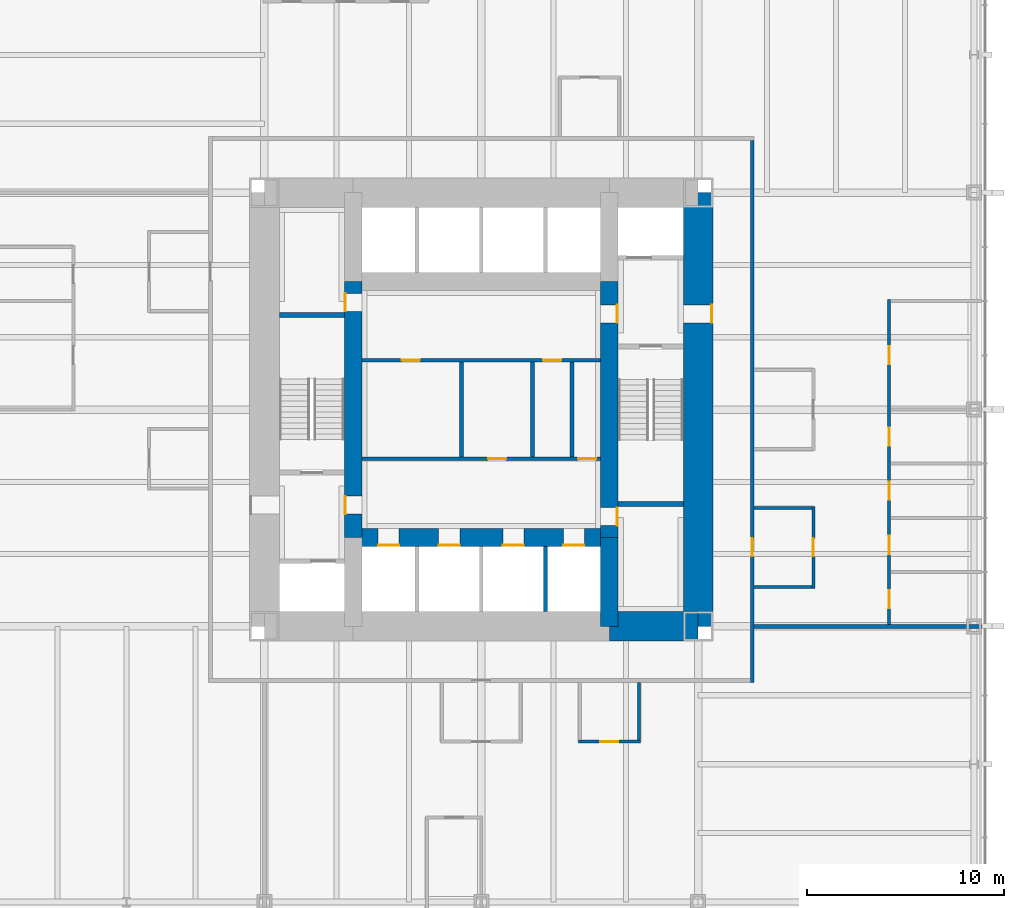
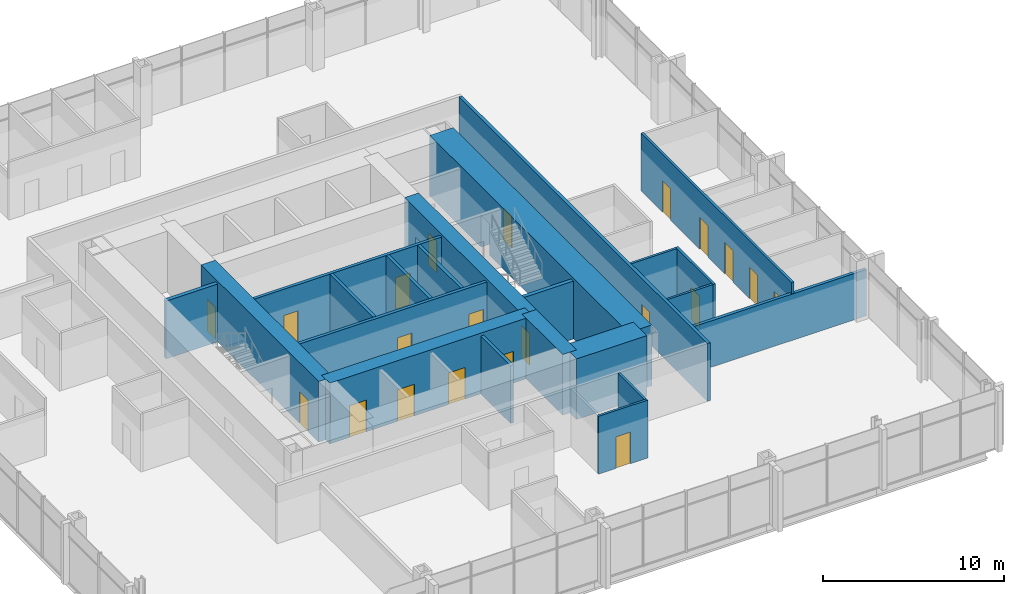
# One storey, part 10 of 12: 22 walls, 21 doors, 21 openings.
"""IFC4 building model written with IfcOpenShell, lengths in metres."""

from ifc_helpers import new_model, si_unit, direction, frame, frame_2d, origin, place, context, subcontext, project, spatial, rectangle, extrude, material, layer, layer_set, type_object, element, fill, save


model = new_model("IFC4")

# Units and contexts
model_context = context("Model", 3, precision=1e-05, world=origin(), true_north=direction((0.0, 1.0)))
body_context = subcontext(model_context, "Body", "Model", "MODEL_VIEW")
ifc_project = project(units=[si_unit("LENGTHUNIT", "METRE"), si_unit("AREAUNIT", "SQUARE_METRE"), si_unit("VOLUMEUNIT", "CUBIC_METRE"), si_unit("PLANEANGLEUNIT", "RADIAN"), si_unit("MASSUNIT", "GRAM", prefix="KILO")], contexts=[model_context])

# Site, building, storey
site_placement = place(None, origin())
site = spatial("IfcSite", under=ifc_project, at=site_placement, CompositionType="ELEMENT")
building_placement = place(site_placement, origin())
building = spatial("IfcBuilding", under=site, at=building_placement, Name="Trevanion Tower", CompositionType="ELEMENT")
storey_placement = place(building_placement, frame((0.0, 0.0, 36.5)))
storey = spatial("IfcBuildingStorey", under=building, at=storey_placement, Name="L08", CompositionType="ELEMENT", Elevation=36.5)

# Wall, opening, door
ifc_material_1 = material(Name="Concrete 10,000 psi", Category="concrete")
ifc_layer_1 = layer(ifc_material_1, 1.5)
ifc_layer_set_1 = layer_set([ifc_layer_1], Name="CW1 core wall 1500")
wall_type_1 = type_object("IfcWallType", Name="CW1 core wall 1500", PredefinedType="SHEAR", material=ifc_layer_set_1)
wall_1_placement = place(storey_placement, frame((11.0, -11.0, 0.0), z_axis=(0.0, 0.0, 1.0), x_axis=(0.0, 1.0, 0.0)))
wall_1 = element("IfcWall", 1, at=wall_1_placement, inside=storey, type_object=wall_type_1, Name="CW1 CE L08", PredefinedType="SHEAR", context=body_context, shape_type="SweptSolid", body=[
    extrude(rectangle(XDim=22.0, YDim=1.5, at=frame_2d((11.0, 0.0))), origin(), (0.0, 0.0, 1.0), 4.10009765625),
])
opening_1_placement = place(wall_1_placement, frame((15.392578125, 0.0, 0.0)))
opening_1 = element("IfcOpeningElement", 2, at=opening_1_placement, cuts=wall_1, Name="Opening 08-001", PredefinedType="OPENING", context=body_context, shape_type="SweptSolid", body=[
    extrude(rectangle(XDim=0.9150390625, YDim=2.134033203125, at=frame_2d((0.45751953125, 1.06689453125))), frame((0.0, 0.760009765625, 0.0), z_axis=(0.0, -1.0, 0.0), x_axis=(1.0, 0.0, 0.0)), (0.0, 0.0, 1.0), 1.52001953125),
])
ifc_material_2 = material(Name="Hollow metal, fire rated", Category="steel")
door_type_1 = type_object("IfcDoorType", Name="D3 fire lift lobby door", OperationType="SINGLE_SWING_RIGHT", PredefinedType="DOOR", material=ifc_material_2)
door_1_placement = place(opening_1_placement, origin())
door_1 = element("IfcDoor", 3, at=door_1_placement, inside=storey, type_object=door_type_1, Name="Door 08-001", OperationType="SINGLE_SWING_RIGHT", OverallHeight=2.134033203125, OverallWidth=0.9150390625, PredefinedType="DOOR", context=body_context, shape_type="SweptSolid", body=[
    extrude(rectangle(XDim=0.9150390625, YDim=2.134033203125, at=frame_2d((0.45751953125, 1.06689453125))), frame((0.0, -0.6748046875, 0.0), z_axis=(0.0, -1.0, 0.0), x_axis=(1.0, 0.0, 0.0)), (0.0, 0.0, 1.0), 0.050048828125),
])
fill(opening_1, door_1)

# Walls
wall_2_placement = place(storey_placement, frame((6.5, -11.0, 0.0), z_axis=(0.0, 0.0, 1.0), x_axis=(1.0, 0.0, 0.0)))
element("IfcWall", 4, at=wall_2_placement, inside=storey, type_object=wall_type_1, Name="CW1 CS3 L08", PredefinedType="SHEAR", context=body_context, shape_type="SweptSolid", body=[
    extrude(rectangle(XDim=4.5, YDim=1.5, at=frame_2d((2.25, 0.0))), origin(), (0.0, 0.0, 1.0), 4.10009765625),
])
ifc_material_3 = material(Name="Concrete 10,000 psi", Category="concrete")
ifc_layer_2 = layer(ifc_material_3, 0.89990234375)
ifc_layer_set_2 = layer_set([ifc_layer_2], Name="CW2 core wall 900")
wall_type_2 = type_object("IfcWallType", Name="CW2 core wall 900", PredefinedType="SHEAR", material=ifc_layer_set_2)
wall_3_placement = place(storey_placement, frame((6.5, -11.0, 0.0), z_axis=(0.0, 0.0, 1.0), x_axis=(0.0, 1.0, 0.0)))
element("IfcWall", 5, at=wall_3_placement, inside=storey, type_object=wall_type_2, Name="CW2 RE1 L08", PredefinedType="SHEAR", context=body_context, shape_type="SweptSolid", body=[
    extrude(rectangle(XDim=4.5, YDim=0.89990234375, at=frame_2d((2.25, 0.0))), origin(), (0.0, 0.0, 1.0), 4.10009765625),
])

# Wall, openings, doors
wall_4_placement = place(storey_placement, frame((6.5, -6.5, 0.0), z_axis=(0.0, 0.0, 1.0), x_axis=(0.0, 1.0, 0.0)))
wall_4 = element("IfcWall", 6, at=wall_4_placement, inside=storey, type_object=wall_type_2, Name="CW2 RE2 L08", PredefinedType="SHEAR", context=body_context, shape_type="SweptSolid", body=[
    extrude(rectangle(XDim=13.0, YDim=0.89990234375, at=frame_2d((6.5, 0.0))), origin(), (0.0, 0.0, 1.0), 4.10009765625),
])
opening_2_placement = place(wall_4_placement, frame((10.892578125, 0.0, 0.0)))
opening_2 = element("IfcOpeningElement", 7, at=opening_2_placement, cuts=wall_4, Name="Opening 08-003", PredefinedType="OPENING", context=body_context, shape_type="SweptSolid", body=[
    extrude(rectangle(XDim=0.9150390625, YDim=2.134033203125, at=frame_2d((0.45751953125, 1.06689453125))), frame((0.0, 0.4599609375, 0.0), z_axis=(0.0, -1.0, 0.0), x_axis=(1.0, 0.0, 0.0)), (0.0, 0.0, 1.0), 0.919921875),
])
opening_3_placement = place(wall_4_placement, frame((0.610107421875, 0.0, 0.0)))
opening_3 = element("IfcOpeningElement", 8, at=opening_3_placement, cuts=wall_4, Name="Opening 08-009", PredefinedType="OPENING", context=body_context, shape_type="SweptSolid", body=[
    extrude(rectangle(XDim=0.9150390625, YDim=2.134033203125, at=frame_2d((0.45751953125, 1.06689453125))), frame((0.0, 0.4599609375, 0.0), z_axis=(0.0, -1.0, 0.0), x_axis=(1.0, 0.0, 0.0)), (0.0, 0.0, 1.0), 0.919921875),
])
door_2_placement = place(opening_2_placement, origin())
door_2 = element("IfcDoor", 9, at=door_2_placement, inside=storey, type_object=door_type_1, Name="Door 08-003", OperationType="SINGLE_SWING_RIGHT", OverallHeight=2.134033203125, OverallWidth=0.9150390625, PredefinedType="DOOR", context=body_context, shape_type="SweptSolid", body=[
    extrude(rectangle(XDim=0.9150390625, YDim=2.134033203125, at=frame_2d((0.45751953125, 1.06689453125))), frame((0.0, -0.375, 0.0), z_axis=(0.0, -1.0, 0.0), x_axis=(1.0, 0.0, 0.0)), (0.0, 0.0, 1.0), 0.050048828125),
])
fill(opening_2, door_2)
ifc_material_4 = material(Name="Hollow metal, fire rated", Category="steel")
door_type_2 = type_object("IfcDoorType", Name="D5 service room door", OperationType="SINGLE_SWING_RIGHT", PredefinedType="DOOR", material=ifc_material_4)
door_3_placement = place(opening_3_placement, origin())
door_3 = element("IfcDoor", 10, at=door_3_placement, inside=storey, type_object=door_type_2, Name="Door 08-009", OperationType="SINGLE_SWING_RIGHT", OverallHeight=2.134033203125, OverallWidth=0.9150390625, PredefinedType="DOOR", context=body_context, shape_type="SweptSolid", body=[
    extrude(rectangle(XDim=0.9150390625, YDim=2.134033203125, at=frame_2d((0.45751953125, 1.06689453125))), frame((0.0, -0.375, 0.0), z_axis=(0.0, -1.0, 0.0), x_axis=(1.0, 0.0, 0.0)), (0.0, 0.0, 1.0), 0.050048828125),
])
fill(opening_3, door_3)

wall_5_placement = place(storey_placement, frame((-6.5, 6.5, 0.0), z_axis=(0.0, 0.0, 1.0), x_axis=(0.0, -1.0, 0.0)))
wall_5 = element("IfcWall", 11, at=wall_5_placement, inside=storey, type_object=wall_type_2, Name="CW2 RW2 L08", PredefinedType="SHEAR", context=body_context, shape_type="SweptSolid", body=[
    extrude(rectangle(XDim=13.0, YDim=0.89990234375, at=frame_2d((6.5, 0.0))), origin(), (0.0, 0.0, 1.0), 4.10009765625),
])
opening_4_placement = place(wall_5_placement, frame((10.892578125, 0.0, 0.0)))
opening_4 = element("IfcOpeningElement", 12, at=opening_4_placement, cuts=wall_5, Name="Opening 08-004", PredefinedType="OPENING", context=body_context, shape_type="SweptSolid", body=[
    extrude(rectangle(XDim=0.9150390625, YDim=2.134033203125, at=frame_2d((0.45751953125, 1.06689453125))), frame((0.0, 0.4599609375, 0.0), z_axis=(0.0, -1.0, 0.0), x_axis=(1.0, 0.0, 0.0)), (0.0, 0.0, 1.0), 0.919921875),
])
opening_5_placement = place(wall_5_placement, frame((0.610107421875, 0.0, 0.0)))
opening_5 = element("IfcOpeningElement", 13, at=opening_5_placement, cuts=wall_5, Name="Opening 08-010", PredefinedType="OPENING", context=body_context, shape_type="SweptSolid", body=[
    extrude(rectangle(XDim=0.9150390625, YDim=2.134033203125, at=frame_2d((0.45751953125, 1.06689453125))), frame((0.0, 0.4599609375, 0.0), z_axis=(0.0, -1.0, 0.0), x_axis=(1.0, 0.0, 0.0)), (0.0, 0.0, 1.0), 0.919921875),
])
door_4_placement = place(opening_4_placement, origin())
door_4 = element("IfcDoor", 14, at=door_4_placement, inside=storey, type_object=door_type_1, Name="Door 08-004", OperationType="SINGLE_SWING_RIGHT", OverallHeight=2.134033203125, OverallWidth=0.9150390625, PredefinedType="DOOR", context=body_context, shape_type="SweptSolid", body=[
    extrude(rectangle(XDim=0.9150390625, YDim=2.134033203125, at=frame_2d((0.45751953125, 1.06689453125))), frame((0.0, -0.375, 0.0), z_axis=(0.0, -1.0, 0.0), x_axis=(1.0, 0.0, 0.0)), (0.0, 0.0, 1.0), 0.050048828125),
])
fill(opening_4, door_4)
door_5_placement = place(opening_5_placement, origin())
door_5 = element("IfcDoor", 15, at=door_5_placement, inside=storey, type_object=door_type_2, Name="Door 08-010", OperationType="SINGLE_SWING_RIGHT", OverallHeight=2.134033203125, OverallWidth=0.9150390625, PredefinedType="DOOR", context=body_context, shape_type="SweptSolid", body=[
    extrude(rectangle(XDim=0.9150390625, YDim=2.134033203125, at=frame_2d((0.45751953125, 1.06689453125))), frame((0.0, -0.375, 0.0), z_axis=(0.0, -1.0, 0.0), x_axis=(1.0, 0.0, 0.0)), (0.0, 0.0, 1.0), 0.050048828125),
])
fill(opening_5, door_5)

wall_6_placement = place(storey_placement, frame((-6.5, -6.5, 0.0), z_axis=(0.0, 0.0, 1.0), x_axis=(1.0, 0.0, 0.0)))
wall_6 = element("IfcWall", 16, at=wall_6_placement, inside=storey, type_object=wall_type_2, Name="CW2 RS L08", PredefinedType="SHEAR", context=body_context, shape_type="SweptSolid", body=[
    extrude(rectangle(XDim=13.0, YDim=0.89990234375, at=frame_2d((6.5, 0.0))), origin(), (0.0, 0.0, 1.0), 4.10009765625),
])
opening_6_placement = place(wall_6_placement, frame((1.2666015625, 0.0, 0.0)))
opening_6 = element("IfcOpeningElement", 17, at=opening_6_placement, cuts=wall_6, Name="Opening 08-011", PredefinedType="OPENING", context=body_context, shape_type="SweptSolid", body=[
    extrude(rectangle(XDim=1.06689453125, YDim=2.134033203125, at=frame_2d((0.533447265625, 1.06689453125))), frame((0.0, 0.4599609375, 0.0), z_axis=(0.0, -1.0, 0.0), x_axis=(1.0, 0.0, 0.0)), (0.0, 0.0, 1.0), 0.919921875),
])
opening_7_placement = place(wall_6_placement, frame((4.341552734375, 0.0, 0.0)))
opening_7 = element("IfcOpeningElement", 18, at=opening_7_placement, cuts=wall_6, Name="Opening 08-012", PredefinedType="OPENING", context=body_context, shape_type="SweptSolid", body=[
    extrude(rectangle(XDim=1.06689453125, YDim=2.134033203125, at=frame_2d((0.533447265625, 1.06689453125))), frame((0.0, 0.4599609375, 0.0), z_axis=(0.0, -1.0, 0.0), x_axis=(1.0, 0.0, 0.0)), (0.0, 0.0, 1.0), 0.919921875),
])
opening_8_placement = place(wall_6_placement, frame((7.591552734375, 0.0, 0.0)))
opening_8 = element("IfcOpeningElement", 19, at=opening_8_placement, cuts=wall_6, Name="Opening 08-013", PredefinedType="OPENING", context=body_context, shape_type="SweptSolid", body=[
    extrude(rectangle(XDim=1.06689453125, YDim=2.134033203125, at=frame_2d((0.533447265625, 1.06689453125))), frame((0.0, 0.4599609375, 0.0), z_axis=(0.0, -1.0, 0.0), x_axis=(1.0, 0.0, 0.0)), (0.0, 0.0, 1.0), 0.919921875),
])
opening_9_placement = place(wall_6_placement, frame((10.66650390625, 0.0, 0.0)))
opening_9 = element("IfcOpeningElement", 20, at=opening_9_placement, cuts=wall_6, Name="Opening 08-014", PredefinedType="OPENING", context=body_context, shape_type="SweptSolid", body=[
    extrude(rectangle(XDim=1.06689453125, YDim=2.134033203125, at=frame_2d((0.533447265625, 1.06689453125))), frame((0.0, 0.4599609375, 0.0), z_axis=(0.0, -1.0, 0.0), x_axis=(1.0, 0.0, 0.0)), (0.0, 0.0, 1.0), 0.919921875),
])
ifc_material_5 = material(Name="Stainless steel, fire rated", Category="steel")
door_type_3 = type_object("IfcDoorType", Name="LD1 lift landing door", OperationType="SLIDING_TO_LEFT", PredefinedType="DOOR", material=ifc_material_5)
door_6_placement = place(opening_6_placement, origin())
door_6 = element("IfcDoor", 21, at=door_6_placement, inside=storey, type_object=door_type_3, Name="Door 08-011", OperationType="SLIDING_TO_LEFT", OverallHeight=2.134033203125, OverallWidth=1.06689453125, PredefinedType="DOOR", context=body_context, shape_type="SweptSolid", body=[
    extrude(rectangle(XDim=1.06689453125, YDim=2.134033203125, at=frame_2d((0.533447265625, 1.06689453125))), frame((0.0, -0.375, 0.0), z_axis=(0.0, -1.0, 0.0), x_axis=(1.0, 0.0, 0.0)), (0.0, 0.0, 1.0), 0.050048828125),
])
fill(opening_6, door_6)
door_7_placement = place(opening_7_placement, origin())
door_7 = element("IfcDoor", 22, at=door_7_placement, inside=storey, type_object=door_type_3, Name="Door 08-012", OperationType="SLIDING_TO_LEFT", OverallHeight=2.134033203125, OverallWidth=1.06689453125, PredefinedType="DOOR", context=body_context, shape_type="SweptSolid", body=[
    extrude(rectangle(XDim=1.06689453125, YDim=2.134033203125, at=frame_2d((0.533447265625, 1.06689453125))), frame((0.0, -0.375, 0.0), z_axis=(0.0, -1.0, 0.0), x_axis=(1.0, 0.0, 0.0)), (0.0, 0.0, 1.0), 0.050048828125),
])
fill(opening_7, door_7)
door_8_placement = place(opening_8_placement, origin())
door_8 = element("IfcDoor", 23, at=door_8_placement, inside=storey, type_object=door_type_3, Name="Door 08-013", OperationType="SLIDING_TO_LEFT", OverallHeight=2.134033203125, OverallWidth=1.06689453125, PredefinedType="DOOR", context=body_context, shape_type="SweptSolid", body=[
    extrude(rectangle(XDim=1.06689453125, YDim=2.134033203125, at=frame_2d((0.533447265625, 1.06689453125))), frame((0.0, -0.375, 0.0), z_axis=(0.0, -1.0, 0.0), x_axis=(1.0, 0.0, 0.0)), (0.0, 0.0, 1.0), 0.050048828125),
])
fill(opening_8, door_8)
door_9_placement = place(opening_9_placement, origin())
door_9 = element("IfcDoor", 24, at=door_9_placement, inside=storey, type_object=door_type_3, Name="Door 08-014", OperationType="SLIDING_TO_LEFT", OverallHeight=2.134033203125, OverallWidth=1.06689453125, PredefinedType="DOOR", context=body_context, shape_type="SweptSolid", body=[
    extrude(rectangle(XDim=1.06689453125, YDim=2.134033203125, at=frame_2d((0.533447265625, 1.06689453125))), frame((0.0, -0.375, 0.0), z_axis=(0.0, -1.0, 0.0), x_axis=(1.0, 0.0, 0.0)), (0.0, 0.0, 1.0), 0.050048828125),
])
fill(opening_9, door_9)

ifc_material_6 = material(Name="Gypsum board on steel studs", Category="steel")
ifc_layer_3 = layer(ifc_material_6, 0.14990234375)
ifc_layer_set_3 = layer_set([ifc_layer_3], Name="PT1 partition 150")
wall_type_3 = type_object("IfcWallType", Name="PT1 partition 150", PredefinedType="PARTITIONING", material=ifc_layer_set_3)
wall_7_placement = place(storey_placement, frame((20.699951171875, -11.074951171875, 0.0), z_axis=(0.0, 0.0, 1.0), x_axis=(0.0, 1.0, 0.0)))
wall_7 = element("IfcWall", 25, at=wall_7_placement, inside=storey, type_object=wall_type_3, Name="PT1 L08 FC0F", PredefinedType="PARTITIONING", context=body_context, shape_type="SweptSolid", body=[
    extrude(rectangle(XDim=16.64990234375, YDim=0.14990234375, at=frame_2d((8.324951171875, 0.0))), origin(), (0.0, 0.0, 1.0), 3.909912109375),
])
opening_10_placement = place(wall_7_placement, frame((0.992431640625, 0.0, 0.0)))
opening_10 = element("IfcOpeningElement", 26, at=opening_10_placement, cuts=wall_7, Name="Opening 08-019", PredefinedType="OPENING", context=body_context, shape_type="SweptSolid", body=[
    extrude(rectangle(XDim=0.9150390625, YDim=2.134033203125, at=frame_2d((0.45751953125, 1.06689453125))), frame((0.0, 0.0849609375, 0.0), z_axis=(0.0, -1.0, 0.0), x_axis=(1.0, 0.0, 0.0)), (0.0, 0.0, 1.0), 0.169921875),
])
opening_11_placement = place(wall_7_placement, frame((3.742431640625, 0.0, 0.0)))
opening_11 = element("IfcOpeningElement", 27, at=opening_11_placement, cuts=wall_7, Name="Opening 08-020", PredefinedType="OPENING", context=body_context, shape_type="SweptSolid", body=[
    extrude(rectangle(XDim=0.9150390625, YDim=2.134033203125, at=frame_2d((0.45751953125, 1.06689453125))), frame((0.0, 0.0849609375, 0.0), z_axis=(0.0, -1.0, 0.0), x_axis=(1.0, 0.0, 0.0)), (0.0, 0.0, 1.0), 0.169921875),
])
opening_12_placement = place(wall_7_placement, frame((6.492431640625, 0.0, 0.0)))
opening_12 = element("IfcOpeningElement", 28, at=opening_12_placement, cuts=wall_7, Name="Opening 08-021", PredefinedType="OPENING", context=body_context, shape_type="SweptSolid", body=[
    extrude(rectangle(XDim=0.9150390625, YDim=2.134033203125, at=frame_2d((0.45751953125, 1.06689453125))), frame((0.0, 0.0849609375, 0.0), z_axis=(0.0, -1.0, 0.0), x_axis=(1.0, 0.0, 0.0)), (0.0, 0.0, 1.0), 0.169921875),
])
opening_13_placement = place(wall_7_placement, frame((9.242431640625, 0.0, 0.0)))
opening_13 = element("IfcOpeningElement", 29, at=opening_13_placement, cuts=wall_7, Name="Opening 08-022", PredefinedType="OPENING", context=body_context, shape_type="SweptSolid", body=[
    extrude(rectangle(XDim=0.9150390625, YDim=2.134033203125, at=frame_2d((0.45751953125, 1.06689453125))), frame((0.0, 0.0849609375, 0.0), z_axis=(0.0, -1.0, 0.0), x_axis=(1.0, 0.0, 0.0)), (0.0, 0.0, 1.0), 0.169921875),
])
opening_14_placement = place(wall_7_placement, frame((13.367431640625, 0.0, 0.0)))
opening_14 = element("IfcOpeningElement", 30, at=opening_14_placement, cuts=wall_7, Name="Opening 08-023", PredefinedType="OPENING", context=body_context, shape_type="SweptSolid", body=[
    extrude(rectangle(XDim=0.9150390625, YDim=2.134033203125, at=frame_2d((0.45751953125, 1.06689453125))), frame((0.0, 0.0849609375, 0.0), z_axis=(0.0, -1.0, 0.0), x_axis=(1.0, 0.0, 0.0)), (0.0, 0.0, 1.0), 0.169921875),
])
ifc_material_7 = material(Name="Timber veneer, solid core", Category="wood")
door_type_4 = type_object("IfcDoorType", Name="D1 office and meeting room door", OperationType="SINGLE_SWING_LEFT", PredefinedType="DOOR", material=ifc_material_7)
door_10_placement = place(opening_10_placement, origin())
door_10 = element("IfcDoor", 31, at=door_10_placement, inside=storey, type_object=door_type_4, Name="Door 08-019", OperationType="SINGLE_SWING_LEFT", OverallHeight=2.134033203125, OverallWidth=0.9150390625, PredefinedType="DOOR", context=body_context, shape_type="SweptSolid", body=[
    extrude(rectangle(XDim=0.9150390625, YDim=2.134033203125, at=frame_2d((0.45751953125, 1.06689453125))), frame((0.0, 0.02490234375, 0.0), z_axis=(0.0, -1.0, 0.0), x_axis=(1.0, 0.0, 0.0)), (0.0, 0.0, 1.0), 0.050048828125),
])
fill(opening_10, door_10)
door_11_placement = place(opening_11_placement, origin())
door_11 = element("IfcDoor", 32, at=door_11_placement, inside=storey, type_object=door_type_4, Name="Door 08-020", OperationType="SINGLE_SWING_LEFT", OverallHeight=2.134033203125, OverallWidth=0.9150390625, PredefinedType="DOOR", context=body_context, shape_type="SweptSolid", body=[
    extrude(rectangle(XDim=0.9150390625, YDim=2.134033203125, at=frame_2d((0.45751953125, 1.06689453125))), frame((0.0, 0.02490234375, 0.0), z_axis=(0.0, -1.0, 0.0), x_axis=(1.0, 0.0, 0.0)), (0.0, 0.0, 1.0), 0.050048828125),
])
fill(opening_11, door_11)
door_12_placement = place(opening_12_placement, origin())
door_12 = element("IfcDoor", 33, at=door_12_placement, inside=storey, type_object=door_type_4, Name="Door 08-021", OperationType="SINGLE_SWING_LEFT", OverallHeight=2.134033203125, OverallWidth=0.9150390625, PredefinedType="DOOR", context=body_context, shape_type="SweptSolid", body=[
    extrude(rectangle(XDim=0.9150390625, YDim=2.134033203125, at=frame_2d((0.45751953125, 1.06689453125))), frame((0.0, 0.02490234375, 0.0), z_axis=(0.0, -1.0, 0.0), x_axis=(1.0, 0.0, 0.0)), (0.0, 0.0, 1.0), 0.050048828125),
])
fill(opening_12, door_12)
door_13_placement = place(opening_13_placement, origin())
door_13 = element("IfcDoor", 34, at=door_13_placement, inside=storey, type_object=door_type_4, Name="Door 08-022", OperationType="SINGLE_SWING_LEFT", OverallHeight=2.134033203125, OverallWidth=0.9150390625, PredefinedType="DOOR", context=body_context, shape_type="SweptSolid", body=[
    extrude(rectangle(XDim=0.9150390625, YDim=2.134033203125, at=frame_2d((0.45751953125, 1.06689453125))), frame((0.0, 0.02490234375, 0.0), z_axis=(0.0, -1.0, 0.0), x_axis=(1.0, 0.0, 0.0)), (0.0, 0.0, 1.0), 0.050048828125),
])
fill(opening_13, door_13)
door_14_placement = place(opening_14_placement, origin())
door_14 = element("IfcDoor", 35, at=door_14_placement, inside=storey, type_object=door_type_4, Name="Door 08-023", OperationType="SINGLE_SWING_LEFT", OverallHeight=2.134033203125, OverallWidth=0.9150390625, PredefinedType="DOOR", context=body_context, shape_type="SweptSolid", body=[
    extrude(rectangle(XDim=0.9150390625, YDim=2.134033203125, at=frame_2d((0.45751953125, 1.06689453125))), frame((0.0, 0.02490234375, 0.0), z_axis=(0.0, -1.0, 0.0), x_axis=(1.0, 0.0, 0.0)), (0.0, 0.0, 1.0), 0.050048828125),
])
fill(opening_14, door_14)

# Wall, opening, door
wall_8_placement = place(storey_placement, frame((16.85009765625, -9.074951171875, 0.0), z_axis=(0.0, 0.0, 1.0), x_axis=(0.0, 1.0, 0.0)))
wall_8 = element("IfcWall", 36, at=wall_8_placement, inside=storey, type_object=wall_type_3, Name="PT1 L08 IN00F", PredefinedType="PARTITIONING", context=body_context, shape_type="SweptSolid", body=[
    extrude(rectangle(XDim=4.14990234375, YDim=0.14990234375, at=frame_2d((2.074951171875, 0.0))), origin(), (0.0, 0.0, 1.0), 3.909912109375),
])
opening_15_placement = place(wall_8_placement, frame((1.617431640625, 0.0, 0.0)))
opening_15 = element("IfcOpeningElement", 37, at=opening_15_placement, cuts=wall_8, Name="Opening 08-030", PredefinedType="OPENING", context=body_context, shape_type="SweptSolid", body=[
    extrude(rectangle(XDim=0.9150390625, YDim=2.134033203125, at=frame_2d((0.45751953125, 1.06689453125))), frame((0.0, 0.0849609375, 0.0), z_axis=(0.0, -1.0, 0.0), x_axis=(1.0, 0.0, 0.0)), (0.0, 0.0, 1.0), 0.169921875),
])
door_15_placement = place(opening_15_placement, origin())
door_15 = element("IfcDoor", 38, at=door_15_placement, inside=storey, type_object=door_type_4, Name="Door 08-030", OperationType="SINGLE_SWING_LEFT", OverallHeight=2.134033203125, OverallWidth=0.9150390625, PredefinedType="DOOR", context=body_context, shape_type="SweptSolid", body=[
    extrude(rectangle(XDim=0.9150390625, YDim=2.134033203125, at=frame_2d((0.45751953125, 1.06689453125))), frame((0.0, 0.02490234375, 0.0), z_axis=(0.0, -1.0, 0.0), x_axis=(1.0, 0.0, 0.0)), (0.0, 0.0, 1.0), 0.050048828125),
])
fill(opening_15, door_15)

# Walls
for number, where, z_axis, x_axis, name in (
    (39, (16.77490234375, -9.0, 0.0), (0.0, 0.0, 1.0), (-1.0, 0.0, 0.0), "PT1 L08 IN00S0"),
    (40, (16.77490234375, -5.0, 0.0), (0.0, 0.0, 1.0), (-1.0, 0.0, 0.0), "PT1 L08 IN00S1"),
):
    element("IfcWall", number, at=place(storey_placement, frame(where, z_axis=z_axis, x_axis=x_axis)), inside=storey, type_object=wall_type_3, Name=name, PredefinedType="PARTITIONING", context=body_context, shape_type="SweptSolid", body=[
        extrude(rectangle(XDim=2.9248046875, YDim=0.14990234375, at=frame_2d((1.46240234375, 0.0))), origin(), (0.0, 0.0, 1.0), 3.909912109375),
    ])

# Wall, opening, door
wall_9_placement = place(storey_placement, frame((4.925048828125, -16.85009765625, 0.0), z_axis=(0.0, 0.0, 1.0), x_axis=(1.0, 0.0, 0.0)))
wall_9 = element("IfcWall", 41, at=wall_9_placement, inside=storey, type_object=wall_type_3, Name="PT1 L08 IN31F", PredefinedType="PARTITIONING", context=body_context, shape_type="SweptSolid", body=[
    extrude(rectangle(XDim=3.14990234375, YDim=0.14990234375, at=frame_2d((1.574951171875, 0.0))), origin(), (0.0, 0.0, 1.0), 3.909912109375),
])
opening_16_placement = place(wall_9_placement, frame((1.117431640625, 0.0, 0.0)))
opening_16 = element("IfcOpeningElement", 42, at=opening_16_placement, cuts=wall_9, Name="Opening 08-038", PredefinedType="OPENING", context=body_context, shape_type="SweptSolid", body=[
    extrude(rectangle(XDim=0.9150390625, YDim=2.134033203125, at=frame_2d((0.45751953125, 1.06689453125))), frame((0.0, 0.0849609375, 0.0), z_axis=(0.0, -1.0, 0.0), x_axis=(1.0, 0.0, 0.0)), (0.0, 0.0, 1.0), 0.169921875),
])
door_16_placement = place(opening_16_placement, origin())
door_16 = element("IfcDoor", 43, at=door_16_placement, inside=storey, type_object=door_type_4, Name="Door 08-038", OperationType="SINGLE_SWING_LEFT", OverallHeight=2.134033203125, OverallWidth=0.9150390625, PredefinedType="DOOR", context=body_context, shape_type="SweptSolid", body=[
    extrude(rectangle(XDim=0.9150390625, YDim=2.134033203125, at=frame_2d((0.45751953125, 1.06689453125))), frame((0.0, 0.02490234375, 0.0), z_axis=(0.0, -1.0, 0.0), x_axis=(1.0, 0.0, 0.0)), (0.0, 0.0, 1.0), 0.050048828125),
])
fill(opening_16, door_16)

# Walls
wall_10_placement = place(storey_placement, frame((8.0, -16.77490234375, 0.0), z_axis=(0.0, 0.0, 1.0), x_axis=(0.0, 1.0, 0.0)))
element("IfcWall", 44, at=wall_10_placement, inside=storey, type_object=wall_type_3, Name="PT1 L08 IN31S1", PredefinedType="PARTITIONING", context=body_context, shape_type="SweptSolid", body=[
    extrude(rectangle(XDim=2.9248046875, YDim=0.14990234375, at=frame_2d((1.46240234375, 0.0))), origin(), (0.0, 0.0, 1.0), 3.909912109375),
])
ifc_material_8 = material(Name="Concrete masonry, grouted", Category="masonry")
ifc_layer_4 = layer(ifc_material_8, 0.199951171875)
ifc_layer_set_4 = layer_set([ifc_layer_4], Name="PT2 partition 200")
wall_type_4 = type_object("IfcWallType", Name="PT2 partition 200", PredefinedType="PARTITIONING", material=ifc_layer_set_4)
for number, where, z_axis, x_axis, name in (
    (45, (-1.0, -2.39990234375, 0.0), (0.0, 0.0, 1.0), (0.0, 1.0, 0.0), "PT2 L08 TP1"),
    (46, (2.60009765625, -2.39990234375, 0.0), (0.0, 0.0, 1.0), (0.0, 1.0, 0.0), "PT2 L08 TP2"),
    (47, (4.60009765625, -2.39990234375, 0.0), (0.0, 0.0, 1.0), (0.0, 1.0, 0.0), "PT2 L08 TP3"),
):
    element("IfcWall", number, at=place(storey_placement, frame(where, z_axis=z_axis, x_axis=x_axis)), inside=storey, type_object=wall_type_4, Name=name, PredefinedType="PARTITIONING", context=body_context, shape_type="SweptSolid", body=[
        extrude(rectangle(XDim=4.7998046875, YDim=0.199951171875, at=frame_2d((2.39990234375, 0.0))), origin(), (0.0, 0.0, 1.0), 3.909912109375),
    ])

# Wall, openings, doors
ifc_material_9 = material(Name="Concrete masonry, grouted", Category="masonry")
ifc_layer_5 = layer(ifc_material_9, 0.199951171875)
ifc_layer_set_5 = layer_set([ifc_layer_5], Name="PT2 partition 200 1 HR")
wall_type_5 = type_object("IfcWallType", Name="PT2 partition 200 1 HR", PredefinedType="PARTITIONING", material=ifc_layer_set_5)
wall_11_placement = place(storey_placement, frame((-6.050048828125, 2.5, 0.0), z_axis=(0.0, 0.0, 1.0), x_axis=(1.0, 0.0, 0.0)))
wall_11 = element("IfcWall", 48, at=wall_11_placement, inside=storey, type_object=wall_type_5, Name="PT2 L08 CP1", PredefinedType="PARTITIONING", context=body_context, shape_type="SweptSolid", body=[
    extrude(rectangle(XDim=12.10009765625, YDim=0.199951171875, at=frame_2d((6.050048828125, 0.0))), origin(), (0.0, 0.0, 1.0), 3.909912109375),
])
opening_17_placement = place(wall_11_placement, frame((2.017578125, 0.0, 0.0)))
opening_17 = element("IfcOpeningElement", 49, at=opening_17_placement, cuts=wall_11, Name="Opening 08-015", PredefinedType="OPENING", context=body_context, shape_type="SweptSolid", body=[
    extrude(rectangle(XDim=0.9150390625, YDim=2.134033203125, at=frame_2d((0.45751953125, 1.06689453125))), frame((0.0, 0.10986328125, 0.0), z_axis=(0.0, -1.0, 0.0), x_axis=(1.0, 0.0, 0.0)), (0.0, 0.0, 1.0), 0.219970703125),
])
opening_18_placement = place(wall_11_placement, frame((9.1923828125, 0.0, 0.0)))
opening_18 = element("IfcOpeningElement", 50, at=opening_18_placement, cuts=wall_11, Name="Opening 08-017", PredefinedType="OPENING", context=body_context, shape_type="SweptSolid", body=[
    extrude(rectangle(XDim=0.9150390625, YDim=2.134033203125, at=frame_2d((0.45751953125, 1.06689453125))), frame((0.0, 0.10986328125, 0.0), z_axis=(0.0, -1.0, 0.0), x_axis=(1.0, 0.0, 0.0)), (0.0, 0.0, 1.0), 0.219970703125),
])
ifc_material_10 = material(Name="Plastic laminate on fire-rated core", Category="wood")
door_type_5 = type_object("IfcDoorType", Name="D12 toilet door in a one hour wall", OperationType="SINGLE_SWING_LEFT", PredefinedType="DOOR", material=ifc_material_10)
door_17_placement = place(opening_17_placement, origin())
door_17 = element("IfcDoor", 51, at=door_17_placement, inside=storey, type_object=door_type_5, Name="Door 08-015", OperationType="SINGLE_SWING_LEFT", OverallHeight=2.134033203125, OverallWidth=0.9150390625, PredefinedType="DOOR", context=body_context, shape_type="SweptSolid", body=[
    extrude(rectangle(XDim=0.9150390625, YDim=2.134033203125, at=frame_2d((0.45751953125, 1.06689453125))), frame((0.0, 0.02490234375, 0.0), z_axis=(0.0, -1.0, 0.0), x_axis=(1.0, 0.0, 0.0)), (0.0, 0.0, 1.0), 0.050048828125),
])
fill(opening_17, door_17)
door_18_placement = place(opening_18_placement, origin())
door_18 = element("IfcDoor", 52, at=door_18_placement, inside=storey, type_object=door_type_5, Name="Door 08-017", OperationType="SINGLE_SWING_LEFT", OverallHeight=2.134033203125, OverallWidth=0.9150390625, PredefinedType="DOOR", context=body_context, shape_type="SweptSolid", body=[
    extrude(rectangle(XDim=0.9150390625, YDim=2.134033203125, at=frame_2d((0.45751953125, 1.06689453125))), frame((0.0, 0.02490234375, 0.0), z_axis=(0.0, -1.0, 0.0), x_axis=(1.0, 0.0, 0.0)), (0.0, 0.0, 1.0), 0.050048828125),
])
fill(opening_18, door_18)

wall_12_placement = place(storey_placement, frame((6.050048828125, -2.5, 0.0), z_axis=(0.0, 0.0, 1.0), x_axis=(-1.0, 0.0, 0.0)))
wall_12 = element("IfcWall", 53, at=wall_12_placement, inside=storey, type_object=wall_type_5, Name="PT2 L08 CP2", PredefinedType="PARTITIONING", context=body_context, shape_type="SweptSolid", body=[
    extrude(rectangle(XDim=12.10009765625, YDim=0.199951171875, at=frame_2d((6.050048828125, 0.0))), origin(), (0.0, 0.0, 1.0), 3.909912109375),
])
opening_19_placement = place(wall_12_placement, frame((4.79248046875, 0.0, 0.0)))
opening_19 = element("IfcOpeningElement", 54, at=opening_19_placement, cuts=wall_12, Name="Opening 08-016", PredefinedType="OPENING", context=body_context, shape_type="SweptSolid", body=[
    extrude(rectangle(XDim=0.9150390625, YDim=2.134033203125, at=frame_2d((0.45751953125, 1.06689453125))), frame((0.0, 0.10986328125, 0.0), z_axis=(0.0, -1.0, 0.0), x_axis=(1.0, 0.0, 0.0)), (0.0, 0.0, 1.0), 0.219970703125),
])
opening_20_placement = place(wall_12_placement, frame((0.217529296875, 0.0, 0.0)))
opening_20 = element("IfcOpeningElement", 55, at=opening_20_placement, cuts=wall_12, Name="Opening 08-018", PredefinedType="OPENING", context=body_context, shape_type="SweptSolid", body=[
    extrude(rectangle(XDim=0.9150390625, YDim=2.134033203125, at=frame_2d((0.45751953125, 1.06689453125))), frame((0.0, 0.10986328125, 0.0), z_axis=(0.0, -1.0, 0.0), x_axis=(1.0, 0.0, 0.0)), (0.0, 0.0, 1.0), 0.219970703125),
])
door_19_placement = place(opening_19_placement, origin())
door_19 = element("IfcDoor", 56, at=door_19_placement, inside=storey, type_object=door_type_5, Name="Door 08-016", OperationType="SINGLE_SWING_LEFT", OverallHeight=2.134033203125, OverallWidth=0.9150390625, PredefinedType="DOOR", context=body_context, shape_type="SweptSolid", body=[
    extrude(rectangle(XDim=0.9150390625, YDim=2.134033203125, at=frame_2d((0.45751953125, 1.06689453125))), frame((0.0, 0.02490234375, 0.0), z_axis=(0.0, -1.0, 0.0), x_axis=(1.0, 0.0, 0.0)), (0.0, 0.0, 1.0), 0.050048828125),
])
fill(opening_19, door_19)
door_20_placement = place(opening_20_placement, origin())
door_20 = element("IfcDoor", 57, at=door_20_placement, inside=storey, type_object=door_type_5, Name="Door 08-018", OperationType="SINGLE_SWING_LEFT", OverallHeight=2.134033203125, OverallWidth=0.9150390625, PredefinedType="DOOR", context=body_context, shape_type="SweptSolid", body=[
    extrude(rectangle(XDim=0.9150390625, YDim=2.134033203125, at=frame_2d((0.45751953125, 1.06689453125))), frame((0.0, 0.02490234375, 0.0), z_axis=(0.0, -1.0, 0.0), x_axis=(1.0, 0.0, 0.0)), (0.0, 0.0, 1.0), 0.050048828125),
])
fill(opening_20, door_20)

# Wall, opening, door
wall_13_placement = place(storey_placement, frame((13.75, -13.85009765625, 0.0), z_axis=(0.0, 0.0, 1.0), x_axis=(0.0, 1.0, 0.0)))
wall_13 = element("IfcWall", 58, at=wall_13_placement, inside=storey, type_object=wall_type_5, Name="PT2 L08 OC0", PredefinedType="PARTITIONING", context=body_context, shape_type="SweptSolid", body=[
    extrude(rectangle(XDim=27.5, YDim=0.199951171875, at=frame_2d((13.75, 0.0))), origin(), (0.0, 0.0, 1.0), 3.909912109375),
])
opening_21_placement = place(wall_13_placement, frame((6.392578125, 0.0, 0.0)))
opening_21 = element("IfcOpeningElement", 59, at=opening_21_placement, cuts=wall_13, Name="Opening 08-031", PredefinedType="OPENING", context=body_context, shape_type="SweptSolid", body=[
    extrude(rectangle(XDim=0.9150390625, YDim=2.134033203125, at=frame_2d((0.45751953125, 1.06689453125))), frame((0.0, 0.10986328125, 0.0), z_axis=(0.0, -1.0, 0.0), x_axis=(1.0, 0.0, 0.0)), (0.0, 0.0, 1.0), 0.219970703125),
])
ifc_material_11 = material(Name="Timber veneer, fire rated", Category="wood")
door_type_6 = type_object("IfcDoorType", Name="D10 office door in a one hour wall", OperationType="SINGLE_SWING_LEFT", PredefinedType="DOOR", material=ifc_material_11)
door_21_placement = place(opening_21_placement, origin())
door_21 = element("IfcDoor", 60, at=door_21_placement, inside=storey, type_object=door_type_6, Name="Door 08-031", OperationType="SINGLE_SWING_LEFT", OverallHeight=2.134033203125, OverallWidth=0.9150390625, PredefinedType="DOOR", context=body_context, shape_type="SweptSolid", body=[
    extrude(rectangle(XDim=0.9150390625, YDim=2.134033203125, at=frame_2d((0.45751953125, 1.06689453125))), frame((0.0, 0.02490234375, 0.0), z_axis=(0.0, -1.0, 0.0), x_axis=(1.0, 0.0, 0.0)), (0.0, 0.0, 1.0), 0.050048828125),
])
fill(opening_21, door_21)

# Walls
wall_14_placement = place(storey_placement, frame((13.85009765625, -11.0, 0.0), z_axis=(0.0, 0.0, 1.0), x_axis=(1.0, 0.0, 0.0)))
element("IfcWall", 61, at=wall_14_placement, inside=storey, type_object=wall_type_5, Name="PT2 L08 DM3", PredefinedType="PARTITIONING", context=body_context, shape_type="SweptSolid", body=[
    extrude(rectangle(XDim=11.56494140625, YDim=0.199951171875, at=frame_2d((5.782470703125, 0.0))), origin(), (0.0, 0.0, 1.0), 3.130126953125),
])
ifc_material_12 = material(Name="Concrete masonry, grouted", Category="masonry")
ifc_layer_6 = layer(ifc_material_12, 0.199951171875)
ifc_layer_set_6 = layer_set([ifc_layer_6], Name="PT2 partition 200 2 HR")
wall_type_6 = type_object("IfcWallType", Name="PT2 partition 200 2 HR", PredefinedType="PARTITIONING", material=ifc_layer_set_6)
wall_15_placement = place(storey_placement, frame((3.25, -10.25, 0.0), z_axis=(0.0, 0.0, 1.0), x_axis=(0.0, 1.0, 0.0)))
element("IfcWall", 62, at=wall_15_placement, inside=storey, type_object=wall_type_6, Name="PT2 L08 SS2", PredefinedType="PARTITIONING", context=body_context, shape_type="SweptSolid", body=[
    extrude(rectangle(XDim=3.300048828125, YDim=0.199951171875, at=frame_2d((1.64990234375, 0.0))), origin(), (0.0, 0.0, 1.0), 3.909912109375),
])
ifc_material_13 = material(Name="Reinforced masonry, fully grouted", Category="masonry")
ifc_layer_7 = layer(ifc_material_13, 0.25)
ifc_layer_set_7 = layer_set([ifc_layer_7], Name="SW1 stair shaft wall 250")
wall_type_7 = type_object("IfcWallType", Name="SW1 stair shaft wall 250", PredefinedType="SOLIDWALL", material=ifc_layer_set_7)
for number, where, z_axis, x_axis, name in (
    (63, (6.949951171875, -4.800048828125, 0.0), (0.0, 0.0, 1.0), (1.0, 0.0, 0.0), "SW1 L08 EP1"),
    (64, (-6.949951171875, 4.800048828125, 0.0), (0.0, 0.0, 1.0), (-1.0, 0.0, 0.0), "SW1 L08 WP1"),
):
    element("IfcWall", number, at=place(storey_placement, frame(where, z_axis=z_axis, x_axis=x_axis)), inside=storey, type_object=wall_type_7, Name=name, PredefinedType="SOLIDWALL", context=body_context, shape_type="SweptSolid", body=[
        extrude(rectangle(XDim=3.300048828125, YDim=0.25, at=frame_2d((1.64990234375, 0.0))), origin(), (0.0, 0.0, 1.0), 3.909912109375),
    ])

save(model, "model.ifc")
